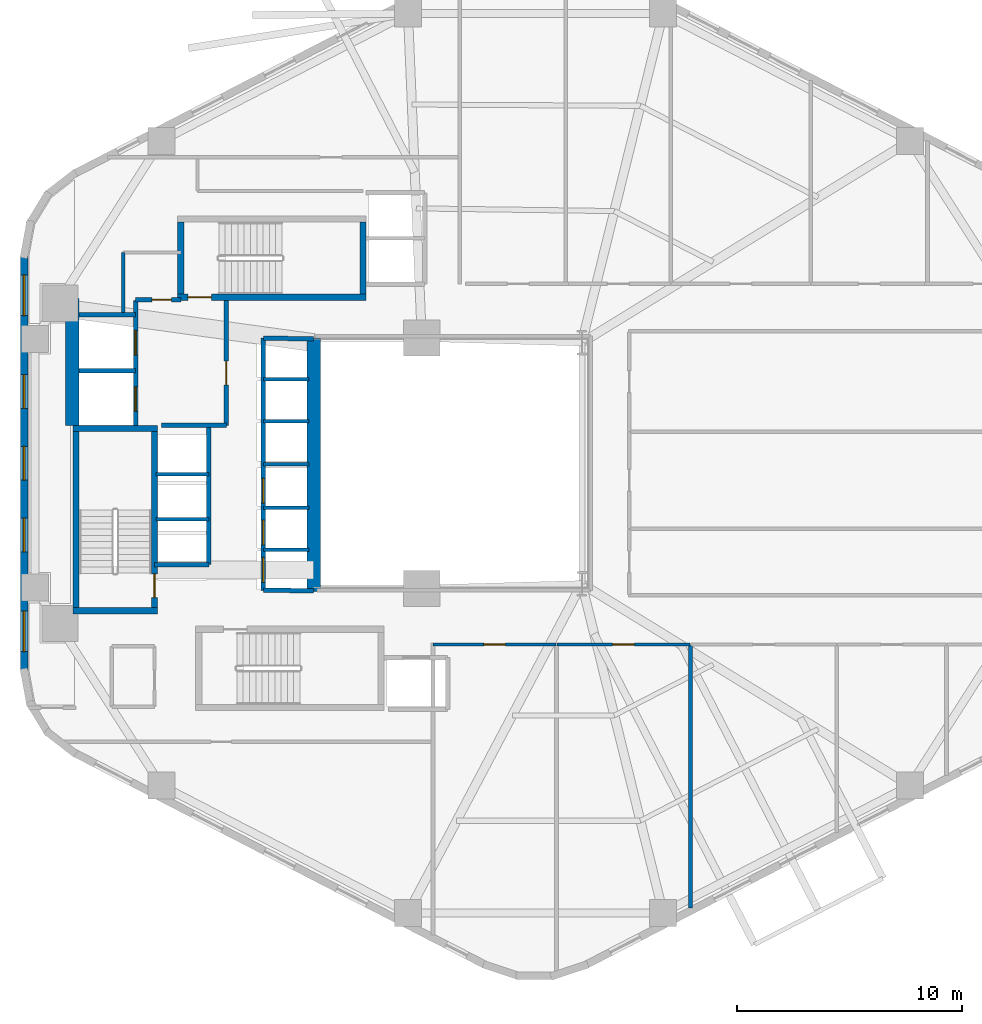
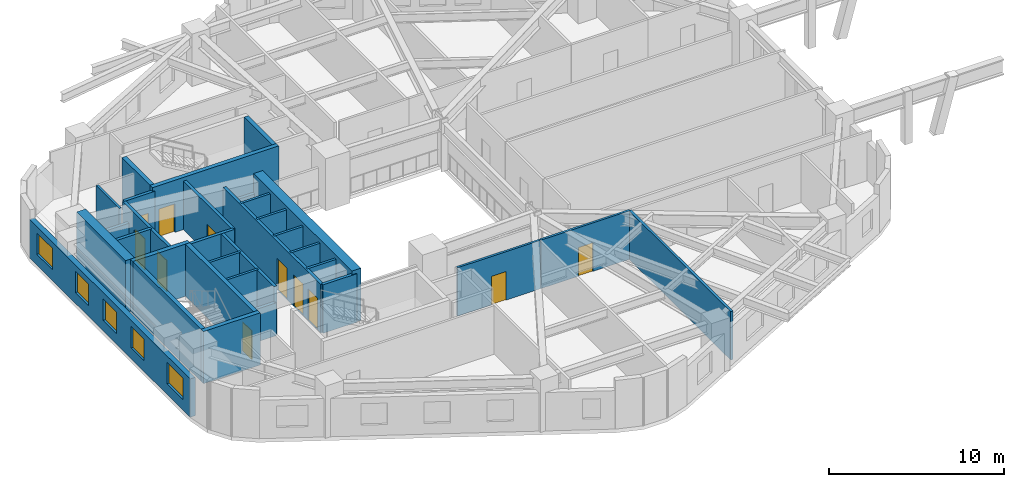
# One storey, part 3 of 7: 32 walls, 11 doors, 5 windows, 16 openings.
"""IFC4 building model written with IfcOpenShell, lengths in metres."""

from ifc_helpers import new_model, si_unit, direction, frame, frame_2d, origin, place, context, subcontext, project, spatial, rectangle, extrude, material, layer, layer_set, type_object, element, fill, save


model = new_model("IFC4")

# Units and contexts
model_context = context("Model", 3, precision=1e-05, world=origin(), true_north=direction((0.0, 1.0)))
body_context = subcontext(model_context, "Body", "Model", "MODEL_VIEW")
ifc_project = project(units=[si_unit("LENGTHUNIT", "METRE"), si_unit("AREAUNIT", "SQUARE_METRE"), si_unit("VOLUMEUNIT", "CUBIC_METRE"), si_unit("PLANEANGLEUNIT", "RADIAN"), si_unit("MASSUNIT", "GRAM", prefix="KILO"), si_unit("THERMODYNAMICTEMPERATUREUNIT", "KELVIN"), si_unit("POWERUNIT", "WATT")], contexts=[model_context])

# Site, building, storey
site_placement = place(None, origin())
site = spatial("IfcSite", under=ifc_project, at=site_placement, CompositionType="ELEMENT")
building_placement = place(site_placement, origin())
building = spatial("IfcBuilding", under=site, at=building_placement, Name="Skarre Station Tower", CompositionType="ELEMENT")
storey_placement = place(building_placement, frame((0.0, 0.0, 41.60009765625)))
storey = spatial("IfcBuildingStorey", under=building, at=storey_placement, Name="L10", CompositionType="ELEMENT", Elevation=41.60009765625)

# Wall
ifc_material_1 = material(Name="Acoustic Steel-Stud Gypsum Partition", Category="steel")
ifc_layer_1 = layer(ifc_material_1, 0.14990234375, Name="Acoustic Steel-Stud Gypsum Partition")
ifc_layer_set_1 = layer_set([ifc_layer_1], Name="Acoustic Steel-Stud Gypsum Partition")
wall_type_1 = type_object("IfcWallType", Name="Fire-Rated Corridor Acoustic Partition 150", PredefinedType="PARTITIONING", material=ifc_layer_set_1)
wall_1_placement = place(storey_placement, frame((19.10009765625, 33.35009765625, 0.0), z_axis=(0.0, 0.0, 1.0), x_axis=(0.0, -1.0, 0.0)))
element("IfcWall", 1, at=wall_1_placement, inside=storey, type_object=wall_type_1, Name="L10 Interior Partition WL-PT-L10-CNW-W", PredefinedType="PARTITIONING", context=body_context, shape_type="SweptSolid", body=[
    extrude(rectangle(XDim=2.655029296875, YDim=0.14990234375, at=frame_2d((1.32763671875, 0.0))), origin(), (0.0, 0.0, 1.0), 3.389892578125),
])

# Wall, opening, door
wall_2_placement = place(storey_placement, frame((32.85009765625, 15.9599609375, 0.0), z_axis=(0.0, 0.0, 1.0), x_axis=(1.0, 0.0, 0.0)))
wall_2 = element("IfcWall", 2, at=wall_2_placement, inside=storey, type_object=wall_type_1, Name="L10 Interior Partition WL-PT-L10-SW1-CW", PredefinedType="PARTITIONING", context=body_context, shape_type="SweptSolid", body=[
    extrude(rectangle(XDim=5.4609375, YDim=0.14990234375, at=frame_2d((2.73046875, 0.0))), origin(), (0.0, 0.0, 1.0), 3.389892578125),
])
opening_1_placement = place(wall_2_placement, frame((2.2509765625, 0.0, 0.0)))
opening_1 = element("IfcOpeningElement", 3, at=opening_1_placement, cuts=wall_2, Name="Opening DR-FD60", PredefinedType="OPENING", context=body_context, shape_type="SweptSolid", body=[
    extrude(rectangle(XDim=0.9599609375, YDim=2.0, at=frame_2d((0.47998046875, 1.0))), frame((0.0, 0.0849609375, 0.0), z_axis=(0.0, -1.0, 0.0), x_axis=(1.0, 0.0, 0.0)), (0.0, 0.0, 1.0), 0.169921875),
])
ifc_material_2 = material(Name="Nordic White-Oak Veneer Solid-Core Fire Leaf", Category="wood")
door_type_1 = type_object("IfcDoorType", Name="Corridor Suite Entry Fire Door FD60 960x2150", OperationType="SINGLE_SWING_LEFT", PredefinedType="DOOR", material=ifc_material_2)
door_1_placement = place(opening_1_placement, origin())
door_1 = element("IfcDoor", 4, at=door_1_placement, inside=storey, type_object=door_type_1, Name="L10 SW1 Entry Door", OperationType="SINGLE_SWING_LEFT", OverallHeight=2.0, OverallWidth=0.9599609375, PredefinedType="DOOR", context=body_context, shape_type="SweptSolid", body=[
    extrude(rectangle(XDim=0.9599609375, YDim=2.0, at=frame_2d((0.47998046875, 1.0))), frame((0.0, 0.02490234375, 0.0), z_axis=(0.0, -1.0, 0.0), x_axis=(1.0, 0.0, 0.0)), (0.0, 0.0, 1.0), 0.050048828125),
])
fill(opening_1, door_1)

wall_3_placement = place(storey_placement, frame((38.346923828125, 15.9599609375, 0.0), z_axis=(0.0, 0.0, 1.0), x_axis=(1.0, 0.0, 0.0)))
wall_3 = element("IfcWall", 5, at=wall_3_placement, inside=storey, type_object=wall_type_1, Name="L10 Interior Partition WL-PT-L10-SW2-CW", PredefinedType="PARTITIONING", context=body_context, shape_type="SweptSolid", body=[
    extrude(rectangle(XDim=5.9130859375, YDim=0.14990234375, at=frame_2d((2.95654296875, 0.0))), origin(), (0.0, 0.0, 1.0), 3.389892578125),
])
opening_2_placement = place(wall_3_placement, frame((2.47705078125, 0.0, 0.0)))
opening_2 = element("IfcOpeningElement", 6, at=opening_2_placement, cuts=wall_3, Name="Opening DR-FD60", PredefinedType="OPENING", context=body_context, shape_type="SweptSolid", body=[
    extrude(rectangle(XDim=0.9599609375, YDim=2.0, at=frame_2d((0.47998046875, 1.0))), frame((0.0, 0.0849609375, 0.0), z_axis=(0.0, -1.0, 0.0), x_axis=(1.0, 0.0, 0.0)), (0.0, 0.0, 1.0), 0.169921875),
])
door_2_placement = place(opening_2_placement, origin())
door_2 = element("IfcDoor", 7, at=door_2_placement, inside=storey, type_object=door_type_1, Name="L10 SW2 Entry Door", OperationType="SINGLE_SWING_LEFT", OverallHeight=2.0, OverallWidth=0.9599609375, PredefinedType="DOOR", context=body_context, shape_type="SweptSolid", body=[
    extrude(rectangle(XDim=0.9599609375, YDim=2.0, at=frame_2d((0.47998046875, 1.0))), frame((0.0, 0.02490234375, 0.0), z_axis=(0.0, -1.0, 0.0), x_axis=(1.0, 0.0, 0.0)), (0.0, 0.0, 1.0), 0.050048828125),
])
fill(opening_2, door_2)

# Wall, openings, windows
ifc_material_3 = material(Name="Precast concrete C45/55", Category="concrete")
ifc_layer_2 = layer(ifc_material_3, 0.340087890625, Name="Precast concrete C45/55")
ifc_layer_set_2 = layer_set([ifc_layer_2], Name="Precast concrete C45/55")
wall_type_2 = type_object("IfcWallType", Name="Nordic Honed Precast Facet Wall 340", PredefinedType="STANDARD", material=ifc_layer_set_2)
wall_4_placement = place(storey_placement, frame((14.70703125, 14.798095703125, 0.0), z_axis=(0.0, 0.0, 1.0), x_axis=(0.0, 1.0, 0.0)))
wall_4 = element("IfcWall", 8, at=wall_4_placement, inside=storey, type_object=wall_type_2, Name="L10 Facet 2 Nordic Precast Masonry Wall", PredefinedType="STANDARD", context=body_context, shape_type="SweptSolid", body=[
    extrude(rectangle(XDim=18.40380859375, YDim=0.340087890625, at=frame_2d((9.201904296875, 0.0))), origin(), (0.0, 0.0, 1.0), 2.683837890625),
])
opening_3_placement = place(wall_4_placement, frame((0.844970703125, 0.0, 0.75)))
opening_3 = element("IfcOpeningElement", 9, at=opening_3_placement, cuts=wall_4, Name="Opening WN-Z1A", PredefinedType="OPENING", context=body_context, shape_type="SweptSolid", body=[
    extrude(rectangle(XDim=1.800048828125, YDim=1.5, at=frame_2d((0.89990234375, 0.75))), frame((0.0, 0.179931640625, 0.0), z_axis=(0.0, -1.0, 0.0), x_axis=(1.0, 0.0, 0.0)), (0.0, 0.0, 1.0), 0.360107421875),
])
opening_4_placement = place(wall_4_placement, frame((5.264892578125, 0.0, 0.75)))
opening_4 = element("IfcOpeningElement", 10, at=opening_4_placement, cuts=wall_4, Name="Opening WN-Z1B", PredefinedType="OPENING", context=body_context, shape_type="SweptSolid", body=[
    extrude(rectangle(XDim=1.5, YDim=1.5, at=frame_2d((0.75, 0.75))), frame((0.0, 0.179931640625, 0.0), z_axis=(0.0, -1.0, 0.0), x_axis=(1.0, 0.0, 0.0)), (0.0, 0.0, 1.0), 0.360107421875),
])
opening_5_placement = place(wall_4_placement, frame((8.451904296875, 0.0, 0.75)))
opening_5 = element("IfcOpeningElement", 11, at=opening_5_placement, cuts=wall_4, Name="Opening WN-Z1B", PredefinedType="OPENING", context=body_context, shape_type="SweptSolid", body=[
    extrude(rectangle(XDim=1.5, YDim=1.5, at=frame_2d((0.75, 0.75))), frame((0.0, 0.179931640625, 0.0), z_axis=(0.0, -1.0, 0.0), x_axis=(1.0, 0.0, 0.0)), (0.0, 0.0, 1.0), 0.360107421875),
])
opening_6_placement = place(wall_4_placement, frame((11.638916015625, 0.0, 0.75)))
opening_6 = element("IfcOpeningElement", 12, at=opening_6_placement, cuts=wall_4, Name="Opening WN-Z1B", PredefinedType="OPENING", context=body_context, shape_type="SweptSolid", body=[
    extrude(rectangle(XDim=1.5, YDim=1.5, at=frame_2d((0.75, 0.75))), frame((0.0, 0.179931640625, 0.0), z_axis=(0.0, -1.0, 0.0), x_axis=(1.0, 0.0, 0.0)), (0.0, 0.0, 1.0), 0.360107421875),
])
opening_7_placement = place(wall_4_placement, frame((15.758056640625, 0.0, 0.75)))
opening_7 = element("IfcOpeningElement", 13, at=opening_7_placement, cuts=wall_4, Name="Opening WN-Z1A", PredefinedType="OPENING", context=body_context, shape_type="SweptSolid", body=[
    extrude(rectangle(XDim=1.800048828125, YDim=1.5, at=frame_2d((0.89990234375, 0.75))), frame((0.0, 0.179931640625, 0.0), z_axis=(0.0, -1.0, 0.0), x_axis=(1.0, 0.0, 0.0)), (0.0, 0.0, 1.0), 0.360107421875),
])
ifc_material_4 = material(Name="Low-Iron Triple Glazing with Bronze Anodized Frame", Category="glass")
window_type_1 = type_object("IfcWindowType", Name="Nordic Punched Triple-Glazed Window 1500x1500", PartitioningType="SINGLE_PANEL", PredefinedType="WINDOW", material=ifc_material_4)
window_1_placement = place(opening_4_placement, origin())
window_1 = element("IfcWindow", 14, at=window_1_placement, inside=storey, type_object=window_type_1, Name="L10 Facade Window WL-FAC-L10-F2-2", OverallHeight=1.5, OverallWidth=1.5, PartitioningType="SINGLE_PANEL", PredefinedType="WINDOW", context=body_context, shape_type="SweptSolid", body=[
    extrude(rectangle(XDim=1.5, YDim=1.5, at=frame_2d((0.75, 0.75))), frame((0.0, 0.030029296875, 0.0), z_axis=(0.0, -1.0, 0.0), x_axis=(1.0, 0.0, 0.0)), (0.0, 0.0, 1.0), 0.06005859375),
])
fill(opening_4, window_1)
window_2_placement = place(opening_5_placement, origin())
window_2 = element("IfcWindow", 15, at=window_2_placement, inside=storey, type_object=window_type_1, Name="L10 Facade Window WL-FAC-L10-F2-3", OverallHeight=1.5, OverallWidth=1.5, PartitioningType="SINGLE_PANEL", PredefinedType="WINDOW", context=body_context, shape_type="SweptSolid", body=[
    extrude(rectangle(XDim=1.5, YDim=1.5, at=frame_2d((0.75, 0.75))), frame((0.0, 0.030029296875, 0.0), z_axis=(0.0, -1.0, 0.0), x_axis=(1.0, 0.0, 0.0)), (0.0, 0.0, 1.0), 0.06005859375),
])
fill(opening_5, window_2)
window_3_placement = place(opening_6_placement, origin())
window_3 = element("IfcWindow", 16, at=window_3_placement, inside=storey, type_object=window_type_1, Name="L10 Facade Window WL-FAC-L10-F2-4", OverallHeight=1.5, OverallWidth=1.5, PartitioningType="SINGLE_PANEL", PredefinedType="WINDOW", context=body_context, shape_type="SweptSolid", body=[
    extrude(rectangle(XDim=1.5, YDim=1.5, at=frame_2d((0.75, 0.75))), frame((0.0, 0.030029296875, 0.0), z_axis=(0.0, -1.0, 0.0), x_axis=(1.0, 0.0, 0.0)), (0.0, 0.0, 1.0), 0.06005859375),
])
fill(opening_6, window_3)
window_type_2 = type_object("IfcWindowType", Name="Nordic Punched Triple-Glazed Window 1800x1500", PartitioningType="SINGLE_PANEL", PredefinedType="WINDOW", material=ifc_material_4)
window_4_placement = place(opening_3_placement, origin())
window_4 = element("IfcWindow", 17, at=window_4_placement, inside=storey, type_object=window_type_2, Name="L10 Facade Window WL-FAC-L10-F2-1", OverallHeight=1.5, OverallWidth=1.800048828125, PartitioningType="SINGLE_PANEL", PredefinedType="WINDOW", context=body_context, shape_type="SweptSolid", body=[
    extrude(rectangle(XDim=1.800048828125, YDim=1.5, at=frame_2d((0.89990234375, 0.75))), frame((0.0, 0.030029296875, 0.0), z_axis=(0.0, -1.0, 0.0), x_axis=(1.0, 0.0, 0.0)), (0.0, 0.0, 1.0), 0.06005859375),
])
fill(opening_3, window_4)
window_5_placement = place(opening_7_placement, origin())
window_5 = element("IfcWindow", 18, at=window_5_placement, inside=storey, type_object=window_type_2, Name="L10 Facade Window WL-FAC-L10-F2-5", OverallHeight=1.5, OverallWidth=1.800048828125, PartitioningType="SINGLE_PANEL", PredefinedType="WINDOW", context=body_context, shape_type="SweptSolid", body=[
    extrude(rectangle(XDim=1.800048828125, YDim=1.5, at=frame_2d((0.89990234375, 0.75))), frame((0.0, 0.030029296875, 0.0), z_axis=(0.0, -1.0, 0.0), x_axis=(1.0, 0.0, 0.0)), (0.0, 0.0, 1.0), 0.06005859375),
])
fill(opening_7, window_5)

# Walls
ifc_material_5 = material(Name="Concrete C50/60", Category="concrete")
ifc_layer_3 = layer(ifc_material_5, 0.280029296875, Name="Concrete C50/60")
ifc_layer_set_3 = layer_set([ifc_layer_3], Name="Concrete C50/60")
wall_type_3 = type_object("IfcWallType", Name="RC Core Shear Wall 280", PredefinedType="SHEAR", material=ifc_layer_set_3)
for number, where, z_axis, x_axis, name in (
    (19, (16.8701171875, 17.4599609375, 0.0), (0.0, 0.0, 1.0), (1.0, 0.0, 0.0), "L10 Stair ST-1 South Shear Wall"),
    (20, (20.6298828125, 25.5400390625, 0.0), (0.0, 0.0, 1.0), (-1.0, 0.0, 0.0), "L10 Stair ST-1 North Shear Wall"),
):
    element("IfcWall", number, at=place(storey_placement, frame(where, z_axis=z_axis, x_axis=x_axis)), inside=storey, type_object=wall_type_3, Name=name, PredefinedType="SHEAR", context=body_context, shape_type="SweptSolid", body=[
        extrude(rectangle(XDim=3.759765625, YDim=0.280029296875, at=frame_2d((1.8798828125, 0.0))), origin(), (0.0, 0.0, 1.0), 3.64990234375),
    ])
wall_5_placement = place(storey_placement, frame((17.010009765625, 25.39990234375, 0.0), z_axis=(0.0, 0.0, 1.0), x_axis=(0.0, -1.0, 0.0)))
element("IfcWall", 21, at=wall_5_placement, inside=storey, type_object=wall_type_3, Name="L10 Stair ST-1 West Shear Wall", PredefinedType="SHEAR", context=body_context, shape_type="SweptSolid", body=[
    extrude(rectangle(XDim=7.7998046875, YDim=0.280029296875, at=frame_2d((3.89990234375, 0.0))), origin(), (0.0, 0.0, 1.0), 3.64990234375),
])

# Wall, opening, door
wall_6_placement = place(storey_placement, frame((20.489990234375, 17.60009765625, 0.0), z_axis=(0.0, 0.0, 1.0), x_axis=(0.0, 1.0, 0.0)))
wall_6 = element("IfcWall", 22, at=wall_6_placement, inside=storey, type_object=wall_type_3, Name="L10 Stair ST-1 East Shear Wall", PredefinedType="SHEAR", context=body_context, shape_type="SweptSolid", body=[
    extrude(rectangle(XDim=7.7998046875, YDim=0.280029296875, at=frame_2d((3.89990234375, 0.0))), origin(), (0.0, 0.0, 1.0), 3.64990234375),
])
opening_8_placement = place(wall_6_placement, frame((0.43994140625, 0.0, 0.0)))
opening_8 = element("IfcOpeningElement", 23, at=opening_8_placement, cuts=wall_6, Name="Opening DR-FD90", PredefinedType="OPENING", context=body_context, shape_type="SweptSolid", body=[
    extrude(rectangle(XDim=1.050048828125, YDim=2.0, at=frame_2d((0.52490234375, 1.0))), frame((0.0, 0.14990234375, 0.0), z_axis=(0.0, -1.0, 0.0), x_axis=(1.0, 0.0, 0.0)), (0.0, 0.0, 1.0), 0.300048828125),
])
ifc_material_6 = material(Name="Fire-Rated Insulated Steel Frame & Timber Core Leaf", Category="steel")
door_type_2 = type_object("IfcDoorType", Name="Stair & FSAE Lobby Fire Door FD90 1050x2150", OperationType="SINGLE_SWING_RIGHT", PredefinedType="DOOR", material=ifc_material_6)
door_3_placement = place(opening_8_placement, origin())
door_3 = element("IfcDoor", 24, at=door_3_placement, inside=storey, type_object=door_type_2, Name="L10 Stair ST-1 Exit Door", OperationType="SINGLE_SWING_RIGHT", OverallHeight=2.0, OverallWidth=1.050048828125, PredefinedType="DOOR", context=body_context, shape_type="SweptSolid", body=[
    extrude(rectangle(XDim=1.050048828125, YDim=2.0, at=frame_2d((0.52490234375, 1.0))), frame((0.0, 0.02490234375, 0.0), z_axis=(0.0, -1.0, 0.0), x_axis=(1.0, 0.0, 0.0)), (0.0, 0.0, 1.0), 0.050048828125),
])
fill(opening_8, door_3)

wall_7_placement = place(storey_placement, frame((21.52001953125, 31.360107421875, 0.0), z_axis=(0.0, 0.0, 1.0), x_axis=(1.0, 0.0, 0.0)))
wall_7 = element("IfcWall", 25, at=wall_7_placement, inside=storey, type_object=wall_type_3, Name="L10 Stair ST-3 South Shear Wall", PredefinedType="SHEAR", context=body_context, shape_type="SweptSolid", body=[
    extrude(rectangle(XDim=8.35986328125, YDim=0.280029296875, at=frame_2d((4.179931640625, 0.0))), origin(), (0.0, 0.0, 1.0), 3.64990234375),
])
opening_9_placement = place(wall_7_placement, frame((0.449951171875, 0.0, 0.0)))
opening_9 = element("IfcOpeningElement", 26, at=opening_9_placement, cuts=wall_7, Name="Opening DR-FD90", PredefinedType="OPENING", context=body_context, shape_type="SweptSolid", body=[
    extrude(rectangle(XDim=1.050048828125, YDim=2.0, at=frame_2d((0.52490234375, 1.0))), frame((0.0, 0.14990234375, 0.0), z_axis=(0.0, -1.0, 0.0), x_axis=(1.0, 0.0, 0.0)), (0.0, 0.0, 1.0), 0.300048828125),
])
door_4_placement = place(opening_9_placement, origin())
door_4 = element("IfcDoor", 27, at=door_4_placement, inside=storey, type_object=door_type_2, Name="L10 Stair ST-3 & FSAE Lobby Direct Exit Door", OperationType="SINGLE_SWING_LEFT", OverallHeight=2.0, OverallWidth=1.050048828125, PredefinedType="DOOR", context=body_context, shape_type="SweptSolid", body=[
    extrude(rectangle(XDim=1.050048828125, YDim=2.0, at=frame_2d((0.52490234375, 1.0))), frame((0.0, 0.02490234375, 0.0), z_axis=(0.0, -1.0, 0.0), x_axis=(1.0, 0.0, 0.0)), (0.0, 0.0, 1.0), 0.050048828125),
])
fill(opening_9, door_4)

# Walls
for number, where, z_axis, x_axis, name in (
    (28, (21.659912109375, 34.699951171875, 0.0), (0.0, 0.0, 1.0), (0.0, -1.0, 0.0), "L10 Stair ST-3 West Shear Wall"),
    (29, (29.739990234375, 31.5, 0.0), (0.0, 0.0, 1.0), (0.0, 1.0, 0.0), "L10 Stair ST-3 East Shear Wall"),
):
    element("IfcWall", number, at=place(storey_placement, frame(where, z_axis=z_axis, x_axis=x_axis)), inside=storey, type_object=wall_type_3, Name=name, PredefinedType="SHEAR", context=body_context, shape_type="SweptSolid", body=[
        extrude(rectangle(XDim=3.199951171875, YDim=0.280029296875, at=frame_2d((1.60009765625, 0.0))), origin(), (0.0, 0.0, 1.0), 3.64990234375),
    ])
ifc_material_7 = material(Name="Concrete C70/85", Category="concrete")
ifc_layer_4 = layer(ifc_material_7, 0.60009765625, Name="Concrete C70/85")
ifc_layer_set_4 = layer_set([ifc_layer_4], Name="Concrete C70/85")
wall_type_4 = type_object("IfcWallType", Name="RC Core Shear Wall 600", PredefinedType="SHEAR", material=ifc_layer_set_4)
wall_8_placement = place(storey_placement, frame((16.85009765625, 25.679931640625, 0.0), z_axis=(0.0, 0.0, 1.0), x_axis=(0.0, 1.0, 0.0)))
element("IfcWall", 30, at=wall_8_placement, inside=storey, type_object=wall_type_4, Name="L10 Core West-North Shear Wall", PredefinedType="SHEAR", context=body_context, shape_type="SweptSolid", body=[
    extrude(rectangle(XDim=5.6201171875, YDim=0.60009765625, at=frame_2d((2.81005859375, 0.0))), origin(), (0.0, 0.0, 1.0), 3.64990234375),
])
wall_9_placement = place(storey_placement, frame((27.550048828125, 29.550048828125, 0.0), z_axis=(0.0, 0.0, 1.0), x_axis=(0.0, -1.0, 0.0)))
element("IfcWall", 31, at=wall_9_placement, inside=storey, type_object=wall_type_4, Name="L10 Core East Atrium Shear Wall", PredefinedType="SHEAR", context=body_context, shape_type="SweptSolid", body=[
    extrude(rectangle(XDim=11.25, YDim=0.60009765625, at=frame_2d((5.625, 0.0))), origin(), (0.0, 0.0, 1.0), 3.64990234375),
])

# Wall, openings, doors
ifc_material_8 = material(Name="Gypsum Concrete Shaft Assembly C30/37", Category="concrete")
ifc_layer_5 = layer(ifc_material_8, 0.199951171875, Name="Gypsum Concrete Shaft Assembly C30/37")
ifc_layer_set_5 = layer_set([ifc_layer_5], Name="Gypsum Concrete Shaft Assembly C30/37")
wall_type_5 = type_object("IfcWallType", Name="Shaft & Core Fire Partition 200", PredefinedType="PARTITIONING", material=ifc_layer_set_5)
wall_10_placement = place(storey_placement, frame((19.64990234375, 25.679931640625, 0.0), z_axis=(0.0, 0.0, 1.0), x_axis=(0.0, 1.0, 0.0)))
wall_10 = element("IfcWall", 32, at=wall_10_placement, inside=storey, type_object=wall_type_5, Name="L10 Interior Partition WL-PT-L10-FSAE-W", PredefinedType="PARTITIONING", context=body_context, shape_type="SweptSolid", body=[
    extrude(rectangle(XDim=5.5400390625, YDim=0.199951171875, at=frame_2d((2.77001953125, 0.0))), origin(), (0.0, 0.0, 1.0), 3.389892578125),
])
opening_10_placement = place(wall_10_placement, frame((0.6201171875, 0.0, 0.0)))
opening_10 = element("IfcOpeningElement", 33, at=opening_10_placement, cuts=wall_10, Name="Opening LD-FF1", PredefinedType="OPENING", context=body_context, shape_type="SweptSolid", body=[
    extrude(rectangle(XDim=1.10009765625, YDim=2.199951171875, at=frame_2d((0.550048828125, 1.10009765625))), frame((0.0, 0.10986328125, 0.0), z_axis=(0.0, -1.0, 0.0), x_axis=(1.0, 0.0, 0.0)), (0.0, 0.0, 1.0), 0.219970703125),
])
opening_11_placement = place(wall_10_placement, frame((3.1201171875, 0.0, 0.0)))
opening_11 = element("IfcOpeningElement", 34, at=opening_11_placement, cuts=wall_10, Name="Opening LD-FF2", PredefinedType="OPENING", context=body_context, shape_type="SweptSolid", body=[
    extrude(rectangle(XDim=1.10009765625, YDim=2.199951171875, at=frame_2d((0.550048828125, 1.10009765625))), frame((0.0, 0.10986328125, 0.0), z_axis=(0.0, -1.0, 0.0), x_axis=(1.0, 0.0, 0.0)), (0.0, 0.0, 1.0), 0.219970703125),
])
ifc_material_9 = material(Name="Fire-Rated Stainless Steel Grade 316L Sliding Leaves", Category="steel")
door_type_3 = type_object("IfcDoorType", Name="Fire Service Access Elevator Sliding Landing Door 1100x2200", OperationType="SLIDING_TO_LEFT", PredefinedType="DOOR", material=ifc_material_9)
door_5_placement = place(opening_10_placement, origin())
door_5 = element("IfcDoor", 35, at=door_5_placement, inside=storey, type_object=door_type_3, Name="L10 Firefighting Lift LF-FF1 Landing Door", OperationType="SLIDING_TO_LEFT", OverallHeight=2.199951171875, OverallWidth=1.10009765625, PredefinedType="DOOR", context=body_context, shape_type="SweptSolid", body=[
    extrude(rectangle(XDim=1.10009765625, YDim=2.199951171875, at=frame_2d((0.550048828125, 1.10009765625))), frame((0.0, 0.02490234375, 0.0), z_axis=(0.0, -1.0, 0.0), x_axis=(1.0, 0.0, 0.0)), (0.0, 0.0, 1.0), 0.050048828125),
])
fill(opening_10, door_5)
door_6_placement = place(opening_11_placement, origin())
door_6 = element("IfcDoor", 36, at=door_6_placement, inside=storey, type_object=door_type_3, Name="L10 Firefighting Lift LF-FF2 Landing Door", OperationType="SLIDING_TO_LEFT", OverallHeight=2.199951171875, OverallWidth=1.10009765625, PredefinedType="DOOR", context=body_context, shape_type="SweptSolid", body=[
    extrude(rectangle(XDim=1.10009765625, YDim=2.199951171875, at=frame_2d((0.550048828125, 1.10009765625))), frame((0.0, 0.02490234375, 0.0), z_axis=(0.0, -1.0, 0.0), x_axis=(1.0, 0.0, 0.0)), (0.0, 0.0, 1.0), 0.050048828125),
])
fill(opening_11, door_6)

# Wall
wall_11_placement = place(storey_placement, frame((20.79296875, 25.679931640625, 0.0), z_axis=(0.0, 0.0, 1.0), x_axis=(1.0, 0.0, 0.0)))
element("IfcWall", 37, at=wall_11_placement, inside=storey, type_object=wall_type_5, Name="L10 Interior Partition WL-PT-L10-FSAE-S", PredefinedType="PARTITIONING", context=body_context, shape_type="SweptSolid", body=[
    extrude(rectangle(XDim=2.886962890625, YDim=0.199951171875, at=frame_2d((1.443359375, 0.0))), origin(), (0.0, 0.0, 1.0), 3.389892578125),
])

# Wall, opening, door
wall_12_placement = place(storey_placement, frame((23.679931640625, 25.679931640625, 0.0), z_axis=(0.0, 0.0, 1.0), x_axis=(0.0, 1.0, 0.0)))
wall_12 = element("IfcWall", 38, at=wall_12_placement, inside=storey, type_object=wall_type_5, Name="L10 Interior Partition WL-PT-L10-FSAE-E", PredefinedType="PARTITIONING", context=body_context, shape_type="SweptSolid", body=[
    extrude(rectangle(XDim=5.5400390625, YDim=0.199951171875, at=frame_2d((2.77001953125, 0.0))), origin(), (0.0, 0.0, 1.0), 3.389892578125),
])
opening_12_placement = place(wall_12_placement, frame((1.800048828125, 0.0, 0.0)))
opening_12 = element("IfcOpeningElement", 39, at=opening_12_placement, cuts=wall_12, Name="Opening DR-FD90", PredefinedType="OPENING", context=body_context, shape_type="SweptSolid", body=[
    extrude(rectangle(XDim=1.050048828125, YDim=2.0, at=frame_2d((0.52490234375, 1.0))), frame((0.0, 0.10986328125, 0.0), z_axis=(0.0, -1.0, 0.0), x_axis=(1.0, 0.0, 0.0)), (0.0, 0.0, 1.0), 0.219970703125),
])
door_7_placement = place(opening_12_placement, origin())
door_7 = element("IfcDoor", 40, at=door_7_placement, inside=storey, type_object=door_type_2, Name="L10 FSAE Lobby Fire Door", OperationType="SINGLE_SWING_RIGHT", OverallHeight=2.0, OverallWidth=1.050048828125, PredefinedType="DOOR", context=body_context, shape_type="SweptSolid", body=[
    extrude(rectangle(XDim=1.050048828125, YDim=2.0, at=frame_2d((0.52490234375, 1.0))), frame((0.0, 0.02490234375, 0.0), z_axis=(0.0, -1.0, 0.0), x_axis=(1.0, 0.0, 0.0)), (0.0, 0.0, 1.0), 0.050048828125),
])
fill(opening_12, door_7)

wall_13_placement = place(storey_placement, frame((21.659912109375, 31.260009765625, 0.0), z_axis=(0.0, 0.0, 1.0), x_axis=(-1.0, 0.0, 0.0)))
wall_13 = element("IfcWall", 41, at=wall_13_placement, inside=storey, type_object=wall_type_5, Name="L10 Interior Partition WL-PT-L10-FSAE-N", PredefinedType="PARTITIONING", context=body_context, shape_type="SweptSolid", body=[
    extrude(rectangle(XDim=2.010009765625, YDim=0.199951171875, at=frame_2d((1.0048828125, 0.0))), origin(), (0.0, 0.0, 1.0), 3.389892578125),
])
opening_13_placement = place(wall_13_placement, frame((0.419921875, 0.0, 0.0)))
opening_13 = element("IfcOpeningElement", 42, at=opening_13_placement, cuts=wall_13, Name="Opening DR-SVC86", PredefinedType="OPENING", context=body_context, shape_type="SweptSolid", body=[
    extrude(rectangle(XDim=0.860107421875, YDim=2.0, at=frame_2d((0.43017578125, 1.0))), frame((0.0, 0.10986328125, 0.0), z_axis=(0.0, -1.0, 0.0), x_axis=(1.0, 0.0, 0.0)), (0.0, 0.0, 1.0), 0.219970703125),
])
ifc_material_10 = material(Name="Powder-Coated Hollow-Metal Acoustic Fire Leaf", Category="steel")
door_type_4 = type_object("IfcDoorType", Name="Compact Riser Fire Door FD60 860x2100", OperationType="SINGLE_SWING_LEFT", PredefinedType="DOOR", material=ifc_material_10)
door_8_placement = place(opening_13_placement, origin())
door_8 = element("IfcDoor", 43, at=door_8_placement, inside=storey, type_object=door_type_4, Name="L10 Core Service Room Lobby Door", OperationType="SINGLE_SWING_LEFT", OverallHeight=2.0, OverallWidth=0.860107421875, PredefinedType="DOOR", context=body_context, shape_type="SweptSolid", body=[
    extrude(rectangle(XDim=0.860107421875, YDim=2.0, at=frame_2d((0.43017578125, 1.0))), frame((0.0, 0.02490234375, 0.0), z_axis=(0.0, -1.0, 0.0), x_axis=(1.0, 0.0, 0.0)), (0.0, 0.0, 1.0), 0.050048828125),
])
fill(opening_13, door_8)

# Walls
wall_14_placement = place(storey_placement, frame((17.14990234375, 28.10009765625, 0.0), z_axis=(0.0, 0.0, 1.0), x_axis=(1.0, 0.0, 0.0)))
element("IfcWall", 44, at=wall_14_placement, inside=storey, type_object=wall_type_5, Name="L10 Interior Partition WL-PT-L10-FF-DIV", PredefinedType="PARTITIONING", context=body_context, shape_type="SweptSolid", body=[
    extrude(rectangle(XDim=2.5, YDim=0.199951171875, at=frame_2d((1.25, 0.0))), origin(), (0.0, 0.0, 1.0), 3.389892578125),
])
wall_15_placement = place(storey_placement, frame((19.64990234375, 30.60009765625, 0.0), z_axis=(0.0, 0.0, 1.0), x_axis=(-1.0, 0.0, 0.0)))
element("IfcWall", 45, at=wall_15_placement, inside=storey, type_object=wall_type_5, Name="L10 Interior Partition WL-PT-L10-FF-N", PredefinedType="PARTITIONING", context=body_context, shape_type="SweptSolid", body=[
    extrude(rectangle(XDim=2.5, YDim=0.199951171875, at=frame_2d((1.25, 0.0))), origin(), (0.0, 0.0, 1.0), 2.289794921875),
])
wall_16_placement = place(storey_placement, frame((22.89990234375, 19.5, 0.0), z_axis=(0.0, 0.0, 1.0), x_axis=(0.0, 1.0, 0.0)))
element("IfcWall", 46, at=wall_16_placement, inside=storey, type_object=wall_type_5, Name="L10 Interior Partition WL-PT-L10-B3-E", PredefinedType="PARTITIONING", context=body_context, shape_type="SweptSolid", body=[
    extrude(rectangle(XDim=6.0849609375, YDim=0.199951171875, at=frame_2d((3.04248046875, 0.0))), origin(), (0.0, 0.0, 1.0), 3.389892578125),
])
wall_17_placement = place(storey_placement, frame((20.489990234375, 19.5, 0.0), z_axis=(0.0, 0.0, 1.0), x_axis=(1.0, 0.0, 0.0)))
element("IfcWall", 47, at=wall_17_placement, inside=storey, type_object=wall_type_5, Name="L10 Interior Partition WL-PT-L10-B3-S", PredefinedType="PARTITIONING", context=body_context, shape_type="SweptSolid", body=[
    extrude(rectangle(XDim=2.409912109375, YDim=0.199951171875, at=frame_2d((1.205078125, 0.0))), origin(), (0.0, 0.0, 1.0), 2.289794921875),
])
for number, where, z_axis, x_axis, name in (
    (48, (20.550048828125, 21.52001953125, 0.0), (0.0, 0.0, 1.0), (1.0, 0.0, 0.0), "L10 Interior Partition WL-PT-L10-B3-D1"),
    (49, (20.550048828125, 23.52001953125, 0.0), (0.0, 0.0, 1.0), (1.0, 0.0, 0.0), "L10 Interior Partition WL-PT-L10-B3-D2"),
):
    element("IfcWall", number, at=place(storey_placement, frame(where, z_axis=z_axis, x_axis=x_axis)), inside=storey, type_object=wall_type_5, Name=name, PredefinedType="PARTITIONING", context=body_context, shape_type="SweptSolid", body=[
        extrude(rectangle(XDim=2.349853515625, YDim=0.159912109375, at=frame_2d((1.1748046875, 0.0))), origin(), (0.0, 0.0, 1.0), 3.389892578125),
    ])

# Wall, openings, doors
wall_18_placement = place(storey_placement, frame((25.320068359375, 29.550048828125, 0.0), z_axis=(0.0, 0.0, 1.0), x_axis=(0.0, -1.0, 0.0)))
wall_18 = element("IfcWall", 50, at=wall_18_placement, inside=storey, type_object=wall_type_5, Name="L10 Interior Partition WL-PT-L10-B12-W", PredefinedType="PARTITIONING", context=body_context, shape_type="SweptSolid", body=[
    extrude(rectangle(XDim=11.18994140625, YDim=0.199951171875, at=frame_2d((5.594970703125, 0.0))), origin(), (0.0, 0.0, 1.0), 3.389892578125),
])
opening_14_placement = place(wall_18_placement, frame((6.219970703125, 0.0, 0.0)))
opening_14 = element("IfcOpeningElement", 51, at=opening_14_placement, cuts=wall_18, Name="Opening LD-P3", PredefinedType="OPENING", context=body_context, shape_type="SweptSolid", body=[
    extrude(rectangle(XDim=1.10009765625, YDim=2.199951171875, at=frame_2d((0.550048828125, 1.10009765625))), frame((0.0, 0.10986328125, 0.0), z_axis=(0.0, -1.0, 0.0), x_axis=(1.0, 0.0, 0.0)), (0.0, 0.0, 1.0), 0.219970703125),
])
opening_15_placement = place(wall_18_placement, frame((8.070068359375, 0.0, 0.0)))
opening_15 = element("IfcOpeningElement", 52, at=opening_15_placement, cuts=wall_18, Name="Opening LD-P2", PredefinedType="OPENING", context=body_context, shape_type="SweptSolid", body=[
    extrude(rectangle(XDim=1.10009765625, YDim=2.199951171875, at=frame_2d((0.550048828125, 1.10009765625))), frame((0.0, 0.10986328125, 0.0), z_axis=(0.0, -1.0, 0.0), x_axis=(1.0, 0.0, 0.0)), (0.0, 0.0, 1.0), 0.219970703125),
])
opening_16_placement = place(wall_18_placement, frame((9.72998046875, 0.0, 0.0)))
opening_16 = element("IfcOpeningElement", 53, at=opening_16_placement, cuts=wall_18, Name="Opening LD-P1", PredefinedType="OPENING", context=body_context, shape_type="SweptSolid", body=[
    extrude(rectangle(XDim=1.10009765625, YDim=2.199951171875, at=frame_2d((0.550048828125, 1.10009765625))), frame((0.0, 0.10986328125, 0.0), z_axis=(0.0, -1.0, 0.0), x_axis=(1.0, 0.0, 0.0)), (0.0, 0.0, 1.0), 0.219970703125),
])
ifc_material_11 = material(Name="Brushed Bronze Stainless Steel Sliding Leaves", Category="steel")
door_type_5 = type_object("IfcDoorType", Name="Passenger Elevator Center-Parting Sliding Door 1100x2200", OperationType="SLIDING_TO_LEFT", PredefinedType="DOOR", material=ifc_material_11)
door_9_placement = place(opening_14_placement, origin())
door_9 = element("IfcDoor", 54, at=door_9_placement, inside=storey, type_object=door_type_5, Name="L10 Passenger Lift LF-P3 Landing Door", OperationType="SLIDING_TO_LEFT", OverallHeight=2.199951171875, OverallWidth=1.10009765625, PredefinedType="DOOR", context=body_context, shape_type="SweptSolid", body=[
    extrude(rectangle(XDim=1.10009765625, YDim=2.199951171875, at=frame_2d((0.550048828125, 1.10009765625))), frame((0.0, 0.02490234375, 0.0), z_axis=(0.0, -1.0, 0.0), x_axis=(1.0, 0.0, 0.0)), (0.0, 0.0, 1.0), 0.050048828125),
])
fill(opening_14, door_9)
door_10_placement = place(opening_15_placement, origin())
door_10 = element("IfcDoor", 55, at=door_10_placement, inside=storey, type_object=door_type_5, Name="L10 Passenger Lift LF-P2 Landing Door", OperationType="SLIDING_TO_LEFT", OverallHeight=2.199951171875, OverallWidth=1.10009765625, PredefinedType="DOOR", context=body_context, shape_type="SweptSolid", body=[
    extrude(rectangle(XDim=1.10009765625, YDim=2.199951171875, at=frame_2d((0.550048828125, 1.10009765625))), frame((0.0, 0.02490234375, 0.0), z_axis=(0.0, -1.0, 0.0), x_axis=(1.0, 0.0, 0.0)), (0.0, 0.0, 1.0), 0.050048828125),
])
fill(opening_15, door_10)
door_11_placement = place(opening_16_placement, origin())
door_11 = element("IfcDoor", 56, at=door_11_placement, inside=storey, type_object=door_type_5, Name="L10 Passenger Lift LF-P1 Landing Door", OperationType="SLIDING_TO_LEFT", OverallHeight=2.199951171875, OverallWidth=1.10009765625, PredefinedType="DOOR", context=body_context, shape_type="SweptSolid", body=[
    extrude(rectangle(XDim=1.10009765625, YDim=2.199951171875, at=frame_2d((0.550048828125, 1.10009765625))), frame((0.0, 0.02490234375, 0.0), z_axis=(0.0, -1.0, 0.0), x_axis=(1.0, 0.0, 0.0)), (0.0, 0.0, 1.0), 0.050048828125),
])
fill(opening_16, door_11)

# Walls
wall_19_placement = place(storey_placement, frame((25.320068359375, 18.360107421875, 0.0), z_axis=(0.0, 0.0, 1.0), x_axis=(0.999989925833, -0.004488678231, 0.0)))
element("IfcWall", 57, at=wall_19_placement, inside=storey, type_object=wall_type_5, Name="L10 Interior Partition WL-PT-L10-B12-S", PredefinedType="PARTITIONING", context=body_context, shape_type="SweptSolid", body=[
    extrude(rectangle(XDim=2.22998046875, YDim=0.199951171875, at=frame_2d((1.114990234375, 0.0))), origin(), (0.0, 0.0, 1.0), 3.389892578125),
])
wall_20_placement = place(storey_placement, frame((27.550048828125, 29.52001953125, 0.0), z_axis=(0.0, 0.0, 1.0), x_axis=(-0.999909343457, 0.013464949556, 0.0)))
element("IfcWall", 58, at=wall_20_placement, inside=storey, type_object=wall_type_5, Name="L10 Interior Partition WL-PT-L10-B12-N", PredefinedType="PARTITIONING", context=body_context, shape_type="SweptSolid", body=[
    extrude(rectangle(XDim=2.230224609375, YDim=0.199951171875, at=frame_2d((1.115234375, 0.0))), origin(), (0.0, 0.0, 1.0), 2.289794921875),
])
for number, where, z_axis, x_axis, name in (
    (59, (25.320068359375, 20.169921875, 0.0), (0.0, 0.0, 1.0), (1.0, 0.0, 0.0), "L10 Interior Partition WL-PT-L10-B12-D201"),
    (60, (25.320068359375, 22.02001953125, 0.0), (0.0, 0.0, 1.0), (1.0, 0.0, 0.0), "L10 Interior Partition WL-PT-L10-B12-D220"),
    (61, (25.320068359375, 23.949951171875, 0.0), (0.0, 0.0, 1.0), (1.0, 0.0, 0.0), "L10 Interior Partition WL-PT-L10-B12-D239"),
    (62, (25.320068359375, 25.8701171875, 0.0), (0.0, 0.0, 1.0), (1.0, 0.0, 0.0), "L10 Interior Partition WL-PT-L10-B12-D258"),
    (63, (25.320068359375, 27.719970703125, 0.0), (0.0, 0.0, 1.0), (1.0, 0.0, 0.0), "L10 Interior Partition WL-PT-L10-B12-D277"),
):
    element("IfcWall", number, at=place(storey_placement, frame(where, z_axis=z_axis, x_axis=x_axis)), inside=storey, type_object=wall_type_5, Name=name, PredefinedType="PARTITIONING", context=body_context, shape_type="SweptSolid", body=[
        extrude(rectangle(XDim=2.030029296875, YDim=0.159912109375, at=frame_2d((1.01513671875, 0.0))), origin(), (0.0, 0.0, 1.0), 3.389892578125),
    ])
ifc_layer_6 = layer(ifc_material_1, 0.1650390625, Name="Acoustic Steel-Stud Gypsum Partition")
ifc_layer_set_6 = layer_set([ifc_layer_6], Name="Acoustic Steel-Stud Gypsum Partition")
wall_type_6 = type_object("IfcWallType", Name="Suite Demising Acoustic Partition 165", PredefinedType="PARTITIONING", material=ifc_layer_set_6)
wall_21_placement = place(storey_placement, frame((44.278076171875, 4.27587890625, 0.0), z_axis=(0.0, 0.0, 1.0), x_axis=(0.0, 1.0, 0.0)))
element("IfcWall", 64, at=wall_21_placement, inside=storey, type_object=wall_type_6, Name="L10 Interior Partition WL-PT-L10-SW-P2", PredefinedType="PARTITIONING", context=body_context, shape_type="SweptSolid", body=[
    extrude(rectangle(XDim=11.654052734375, YDim=0.1650390625, at=frame_2d((5.8271484375, 0.0))), origin(), (0.0, 0.0, 1.0), 3.389892578125),
])

save(model, "model.ifc")
